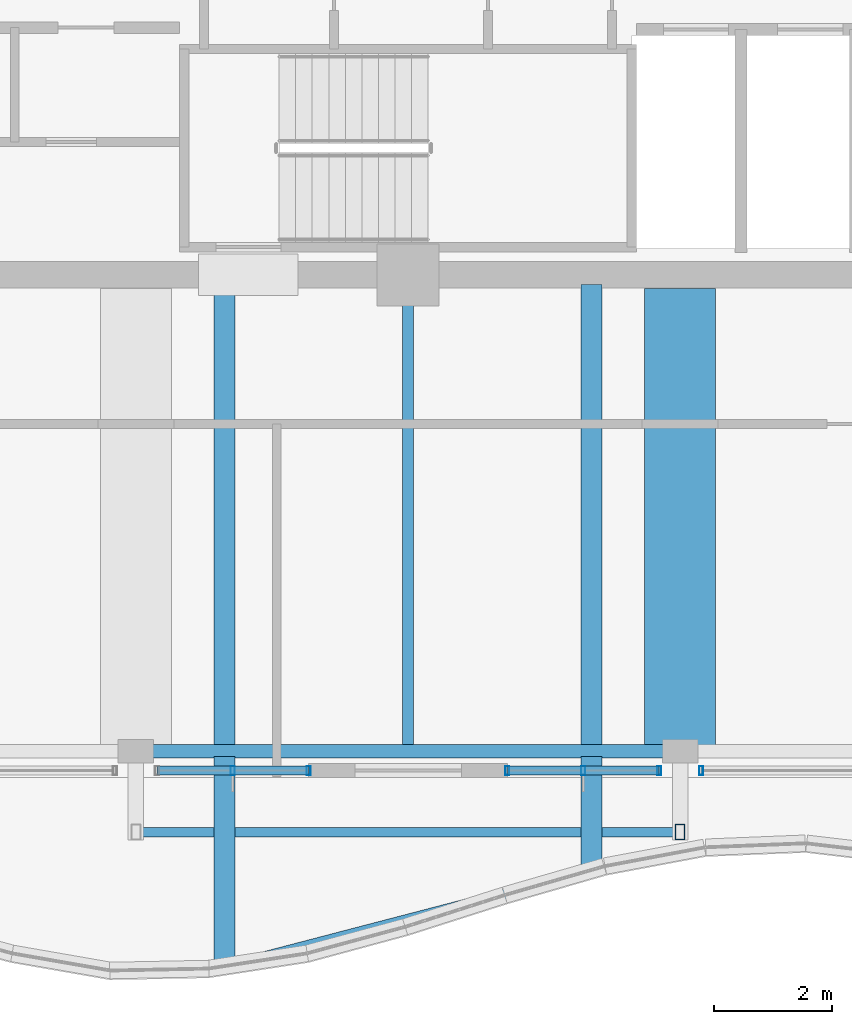
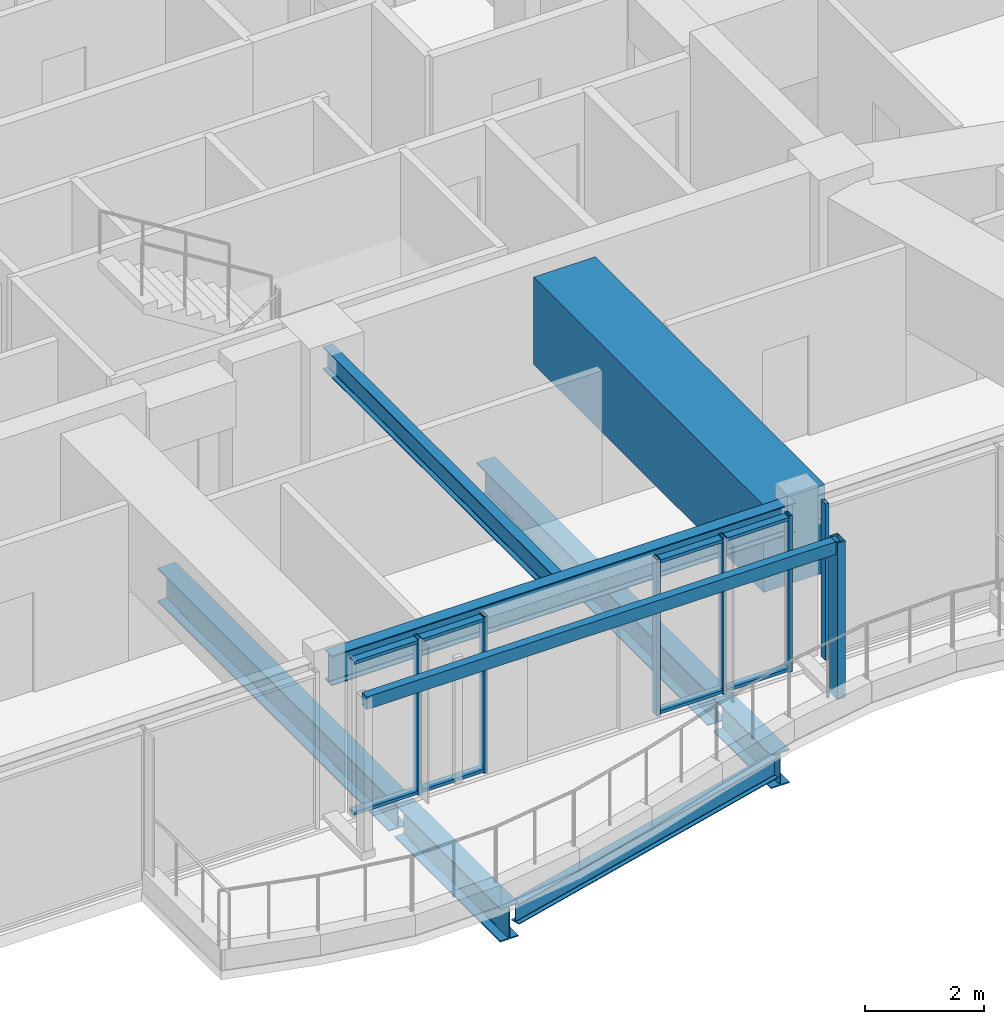
# One storey, part 5 of 30: 12 members, 8 beams, 3 elements without a shape of their own.
"""IFC4 building model written with IfcOpenShell, lengths in metres."""

from ifc_helpers import new_model, si_unit, direction, frame, origin, origin_2d, place, context, subcontext, project, spatial, rectangle, hollow_rectangle, i_section, extrude, material, material_profile, profile_set, type_object, element, aggregate, save


model = new_model("IFC4")

# Units and contexts
model_context = context("Model", 3, precision=1e-05, world=origin(), true_north=direction((0.0, 1.0)))
body_context = subcontext(model_context, "Body", "Model", "MODEL_VIEW")
ifc_project = project(units=[si_unit("LENGTHUNIT", "METRE"), si_unit("AREAUNIT", "SQUARE_METRE"), si_unit("VOLUMEUNIT", "CUBIC_METRE"), si_unit("PLANEANGLEUNIT", "RADIAN"), si_unit("MASSUNIT", "GRAM", prefix="KILO")], contexts=[model_context])

# Site, building, storey
site_placement = place(None, origin())
site = spatial("IfcSite", under=ifc_project, at=site_placement, CompositionType="ELEMENT")
building_placement = place(site_placement, origin())
building = spatial("IfcBuilding", under=site, at=building_placement, Name="Kolvaren Belvedere", CompositionType="ELEMENT")
storey_placement = place(building_placement, frame((0.0, 0.0, 254.89990234375)))
storey = spatial("IfcBuildingStorey", under=building, at=storey_placement, Name="L74", CompositionType="ELEMENT", Elevation=254.89990234375)

# Beams
ifc_material_1 = material(Name="Structural steel ASTM A992 Grade 50", Category="steel")
ifc_material_profile_1 = material_profile(ifc_material_1, i_section(OverallWidth=0.35498046875, OverallDepth=0.696044921875, WebThickness=0.015380859375, FlangeThickness=0.02490234375, FilletRadius=0.02197265625, at=origin_2d()), Name="W27X146")
ifc_profile_set_1 = profile_set([ifc_material_profile_1], Name="Structural steel ASTM A992 Grade 50")
beam_type_1 = type_object("IfcBeamType", Name="BM-CANT-BAL", PredefinedType="BEAM", material=ifc_profile_set_1)
beam_1_placement = place(storey_placement, frame((-3.10009765625, -18.044921875, -0.597900390625), z_axis=(0.0, -1.0, 0.0), x_axis=(1.0, 0.0, 0.0)))
element("IfcBeam", 1, at=beam_1_placement, inside=storey, type_object=beam_type_1, Name="L74 Planted Balcony Cantilever BAL-S-1", PredefinedType="BEAM", context=body_context, shape_type="SweptSolid", body=[
    extrude(i_section(OverallWidth=0.35498046875, OverallDepth=0.696044921875, WebThickness=0.015380859375, FlangeThickness=0.02490234375, FilletRadius=0.02197265625, at=origin_2d()), origin(), (0.0, 0.0, 1.0), 3.56103515625),
])
beam_2_placement = place(storey_placement, frame((3.10009765625, -18.044921875, -0.597900390625), z_axis=(0.0, -1.0, 0.0), x_axis=(1.0, 0.0, 0.0)))
element("IfcBeam", 2, at=beam_2_placement, inside=storey, type_object=beam_type_1, Name="L74 Planted Balcony Cantilever BAL-S-2", PredefinedType="BEAM", context=body_context, shape_type="SweptSolid", body=[
    extrude(i_section(OverallWidth=0.35498046875, OverallDepth=0.696044921875, WebThickness=0.015380859375, FlangeThickness=0.02490234375, FilletRadius=0.02197265625, at=origin_2d()), origin(), (0.0, 0.0, 1.0), 1.94189453125),
])
ifc_material_2 = material(Name="Structural steel ASTM A992 Grade 50", Category="steel")
ifc_material_profile_2 = material_profile(ifc_material_2, i_section(OverallWidth=0.180908203125, OverallDepth=0.4169921875, WebThickness=0.010986328125, FlangeThickness=0.018310546875, FilletRadius=0.013916015625, at=origin_2d()), Name="W16X57")
ifc_profile_set_2 = profile_set([ifc_material_profile_2], Name="Structural steel ASTM A992 Grade 50")
beam_type_2 = type_object("IfcBeamType", Name="BM-EDGE-W16X57", PredefinedType="BEAM", material=ifc_profile_set_2)
beam_3_placement = place(storey_placement, frame((-2.964599609375, -21.570556640625, -0.45849609375), z_axis=(0.9675537799, 0.25266515985, 0.0), x_axis=(-0.25266515985, 0.9675537799, 0.0)))
element("IfcBeam", 3, at=beam_3_placement, inside=storey, type_object=beam_type_2, Name="L74 Balcony Tip Header Beam BAL-S", PredefinedType="BEAM", context=body_context, shape_type="SweptSolid", body=[
    extrude(i_section(OverallWidth=0.180908203125, OverallDepth=0.4169921875, WebThickness=0.010986328125, FlangeThickness=0.018310546875, FilletRadius=0.013916015625, at=origin_2d()), origin(), (0.0, 0.0, 1.0), 6.1279296875),
])
ifc_material_3 = material(Name="Structural steel ASTM A992 Grade 50", Category="steel")
ifc_material_profile_3 = material_profile(ifc_material_3, i_section(OverallWidth=0.35498046875, OverallDepth=0.696044921875, WebThickness=0.015380859375, FlangeThickness=0.02490234375, FilletRadius=0.02197265625, at=origin_2d()), Name="W27X146")
ifc_profile_set_3 = profile_set([ifc_material_profile_3], Name="Structural steel ASTM A992 Grade 50")
beam_type_3 = type_object("IfcBeamType", Name="BM-GIRD-W27X146", PredefinedType="BEAM", material=ifc_profile_set_3)
for number, where, z_axis, x_axis, name in (
    (4, (-3.10009765625, -10.06494140625, -0.597900390625), (0.0, -1.0, 0.0), (1.0, 0.0, 0.0), "L74 Balcony Interior Back-Span Girder BAL-S-1"),
    (5, (3.10009765625, -10.06494140625, -0.597900390625), (0.0, -1.0, 0.0), (1.0, 0.0, 0.0), "L74 Balcony Interior Back-Span Girder BAL-S-2"),
):
    element("IfcBeam", number, at=place(storey_placement, frame(where, z_axis=z_axis, x_axis=x_axis)), inside=storey, type_object=beam_type_3, Name=name, PredefinedType="BEAM", context=body_context, shape_type="SweptSolid", body=[
        extrude(i_section(OverallWidth=0.35498046875, OverallDepth=0.696044921875, WebThickness=0.015380859375, FlangeThickness=0.02490234375, FilletRadius=0.02197265625, at=origin_2d()), origin(), (0.0, 0.0, 1.0), 7.7900390625),
    ])
ifc_material_4 = material(Name="Structural steel ASTM A992 Grade 50", Category="steel")
ifc_material_profile_4 = material_profile(ifc_material_4, i_section(OverallWidth=0.19091796875, OverallDepth=0.4599609375, WebThickness=0.010009765625, FlangeThickness=0.01611328125, FilletRadius=0.014892578125, at=origin_2d()), Name="W18X55")
ifc_profile_set_4 = profile_set([ifc_material_profile_4], Name="Structural steel ASTM A992 Grade 50")
beam_type_4 = type_object("IfcBeamType", Name="BM-JOIST-W18X55", PredefinedType="BEAM", material=ifc_profile_set_4)
beam_4_placement = place(storey_placement, frame((0.0, -10.125, 2.989990234375), z_axis=(0.0, -1.0, 0.0), x_axis=(1.0, 0.0, 0.0)))
element("IfcBeam", 6, at=beam_4_placement, inside=storey, type_object=beam_type_4, Name="L74 South Centre Floor Beam", PredefinedType="BEAM", context=body_context, shape_type="SweptSolid", body=[
    extrude(i_section(OverallWidth=0.19091796875, OverallDepth=0.4599609375, WebThickness=0.010009765625, FlangeThickness=0.01611328125, FilletRadius=0.014892578125, at=origin_2d()), origin(), (0.0, 0.0, 1.0), 7.71044921875),
])
ifc_material_5 = material(Name="Structural steel ASTM A992 Grade 50", Category="steel")
ifc_material_profile_5 = material_profile(ifc_material_5, i_section(OverallWidth=0.22900390625, OverallDepth=0.612060546875, WebThickness=0.011962890625, FlangeThickness=0.01953125, FilletRadius=0.01806640625, at=origin_2d()), Name="W24X84")
ifc_profile_set_5 = profile_set([ifc_material_profile_5], Name="Structural steel ASTM A992 Grade 50")
beam_type_5 = type_object("IfcBeamType", Name="BM-SPAN-W24X84", PredefinedType="SPANDREL", material=ifc_profile_set_5)
beam_5_placement = place(storey_placement, frame((-4.510009765625, -17.949951171875, 2.9140625), z_axis=(1.0, 0.0, 0.0), x_axis=(0.0, 1.0, 0.0)))
element("IfcBeam", 7, at=beam_5_placement, inside=storey, type_object=beam_type_5, Name="L74 Perimeter Spandrel S2-S3", PredefinedType="SPANDREL", context=body_context, shape_type="SweptSolid", body=[
    extrude(i_section(OverallWidth=0.22900390625, OverallDepth=0.612060546875, WebThickness=0.011962890625, FlangeThickness=0.01953125, FilletRadius=0.01806640625, at=origin_2d()), origin(), (0.0, 0.0, 1.0), 9.02001953125),
])
ifc_material_6 = material(Name="Concrete C50/60", Category="concrete")
ifc_material_profile_6 = material_profile(ifc_material_6, rectangle(XDim=1.199951171875, YDim=1.800048828125, at=origin_2d()), Name="RC 1200X1800")
ifc_profile_set_6 = profile_set([ifc_material_profile_6], Name="Concrete C50/60")
beam_type_6 = type_object("IfcBeamType", Name="BM-TG-1800", PredefinedType="BEAM", material=ifc_profile_set_6)
beam_6_placement = place(storey_placement, frame((4.60009765625, -10.125, 2.320068359375), z_axis=(0.0, -1.0, 0.0), x_axis=(1.0, 0.0, 0.0)))
element("IfcBeam", 8, at=beam_6_placement, inside=storey, type_object=beam_type_6, Name="L74 South Radial Girder P", PredefinedType="BEAM", context=body_context, shape_type="SweptSolid", body=[
    extrude(rectangle(XDim=1.199951171875, YDim=1.800048828125, at=origin_2d()), origin(), (0.0, 0.0, 1.0), 7.735107421875),
])

# Curtain wall, member
ifc_material_7 = material(Name="Anodised pale-metal aluminium AA 6063-T6", Category="aluminium")
curtain_wall_type = type_object("IfcCurtainWallType", Name="CW-Z5-HIGH", PredefinedType="NOTDEFINED", material=ifc_material_7)
curtain_wall_1_placement = place(storey_placement, origin())
curtain_wall_1 = element("IfcCurtainWall", 9, at=curtain_wall_1_placement, inside=storey, type_object=curtain_wall_type, Name="L74 Unitised Curtain Wall FCW-L74-S1-B1", PredefinedType="NOTDEFINED")
ifc_material_8 = material(Name="Anodised pale-metal aluminium AA 6063-T6", Category="aluminium")
ifc_material_profile_7 = material_profile(ifc_material_8, hollow_rectangle(XDim=0.070068359375, YDim=0.14990234375, WallThickness=0.004150390625, at=origin_2d()), Name="ALU-MUL-150X70")
ifc_profile_set_7 = profile_set([ifc_material_profile_7], Name="Anodised pale-metal aluminium AA 6063-T6")
member_type_1 = type_object("IfcMemberType", Name="CW-MUL-150", PredefinedType="MULLION", material=ifc_profile_set_7)
member_1_placement = place(storey_placement, frame((4.955078125, -18.280029296875, 0.0), z_axis=(0.0, 0.0, 1.0), x_axis=(1.0, 0.0, 0.0)))
member_1 = element("IfcMember", 10, at=member_1_placement, type_object=member_type_1, Name="FCW-L74-S1-B1 Unitised Mullion 3", PredefinedType="MULLION", context=body_context, shape_type="SweptSolid", body=[
    extrude(hollow_rectangle(XDim=0.070068359375, YDim=0.14990234375, WallThickness=0.004150390625, at=origin_2d()), origin(), (0.0, 0.0, 1.0), 3.22021484375),
])
aggregate(curtain_wall_1, [member_1])

# Curtain wall, members
curtain_wall_2_placement = place(storey_placement, origin())
curtain_wall_2 = element("IfcCurtainWall", 11, at=curtain_wall_2_placement, inside=storey, type_object=curtain_wall_type, Name="L74 Unitised Curtain Wall FCW-L74-S1-B2", PredefinedType="NOTDEFINED")
member_2_placement = place(storey_placement, frame((4.2451171875, -18.280029296875, 0.0), z_axis=(0.0, 0.0, 1.0), x_axis=(1.0, 0.0, 0.0)))
member_2 = element("IfcMember", 12, at=member_2_placement, type_object=member_type_1, Name="FCW-L74-S1-B2 Unitised Mullion 1", PredefinedType="MULLION", context=body_context, shape_type="SweptSolid", body=[
    extrude(hollow_rectangle(XDim=0.070068359375, YDim=0.14990234375, WallThickness=0.004150390625, at=origin_2d()), origin(), (0.0, 0.0, 1.0), 3.22021484375),
])
member_3_placement = place(storey_placement, frame((2.96240234375, -18.280029296875, 0.0), z_axis=(0.0, 0.0, 1.0), x_axis=(1.0, 0.0, 0.0)))
member_3 = element("IfcMember", 13, at=member_3_placement, type_object=member_type_1, Name="FCW-L74-S1-B2 Unitised Mullion 2", PredefinedType="MULLION", context=body_context, shape_type="SweptSolid", body=[
    extrude(hollow_rectangle(XDim=0.070068359375, YDim=0.14990234375, WallThickness=0.004150390625, at=origin_2d()), origin(), (0.0, 0.0, 1.0), 3.22021484375),
])
member_4_placement = place(storey_placement, frame((1.679931640625, -18.280029296875, 0.0), z_axis=(0.0, 0.0, 1.0), x_axis=(1.0, 0.0, 0.0)))
member_4 = element("IfcMember", 14, at=member_4_placement, type_object=member_type_1, Name="FCW-L74-S1-B2 Unitised Mullion 3", PredefinedType="MULLION", context=body_context, shape_type="SweptSolid", body=[
    extrude(hollow_rectangle(XDim=0.070068359375, YDim=0.14990234375, WallThickness=0.004150390625, at=origin_2d()), origin(), (0.0, 0.0, 1.0), 3.22021484375),
])

curtain_wall_3_placement = place(storey_placement, origin())
curtain_wall_3 = element("IfcCurtainWall", 15, at=curtain_wall_3_placement, inside=storey, type_object=curtain_wall_type, Name="L74 Unitised Curtain Wall FCW-L74-S2-B1", PredefinedType="NOTDEFINED")
member_5_placement = place(storey_placement, frame((-1.679931640625, -18.280029296875, 0.0), z_axis=(0.0, 0.0, 1.0), x_axis=(1.0, 0.0, 0.0)))
member_5 = element("IfcMember", 16, at=member_5_placement, type_object=member_type_1, Name="FCW-L74-S2-B1 Unitised Mullion 1", PredefinedType="MULLION", context=body_context, shape_type="SweptSolid", body=[
    extrude(hollow_rectangle(XDim=0.070068359375, YDim=0.14990234375, WallThickness=0.004150390625, at=origin_2d()), origin(), (0.0, 0.0, 1.0), 3.22021484375),
])
member_6_placement = place(storey_placement, frame((-2.96240234375, -18.280029296875, 0.0), z_axis=(0.0, 0.0, 1.0), x_axis=(1.0, 0.0, 0.0)))
member_6 = element("IfcMember", 17, at=member_6_placement, type_object=member_type_1, Name="FCW-L74-S2-B1 Unitised Mullion 2", PredefinedType="MULLION", context=body_context, shape_type="SweptSolid", body=[
    extrude(hollow_rectangle(XDim=0.070068359375, YDim=0.14990234375, WallThickness=0.004150390625, at=origin_2d()), origin(), (0.0, 0.0, 1.0), 3.22021484375),
])

# Member
ifc_material_9 = material(Name="Anodised pale-metal aluminium AA 6063-T6", Category="aluminium")
ifc_material_profile_8 = material_profile(ifc_material_9, hollow_rectangle(XDim=0.06494140625, YDim=0.14990234375, WallThickness=0.00390625, at=origin_2d()), Name="ALU-TRN-150X65")
ifc_profile_set_8 = profile_set([ifc_material_profile_8], Name="Anodised pale-metal aluminium AA 6063-T6")
member_type_2 = type_object("IfcMemberType", Name="CW-TRN-150", PredefinedType="USERDEFINED", material=ifc_profile_set_8)
member_7_placement = place(storey_placement, frame((4.2451171875, -18.280029296875, 0.06005859375), z_axis=(-1.0, 0.0, 0.0), x_axis=(0.0, 0.0, 1.0)))
member_7 = element("IfcMember", 18, at=member_7_placement, type_object=member_type_2, Name="FCW-L74-S1-B2 Sill Transom", ObjectType="TRANSOM", PredefinedType="USERDEFINED", context=body_context, shape_type="SweptSolid", body=[
    extrude(hollow_rectangle(XDim=0.06494140625, YDim=0.14990234375, WallThickness=0.00390625, at=origin_2d()), origin(), (0.0, 0.0, 1.0), 2.565185546875),
])

member_8_placement = place(storey_placement, frame((4.2451171875, -18.280029296875, 3.16015625), z_axis=(-1.0, 0.0, 0.0), x_axis=(0.0, 0.0, 1.0)))
member_8 = element("IfcMember", 19, at=member_8_placement, type_object=member_type_2, Name="FCW-L74-S1-B2 Head Transom", ObjectType="TRANSOM", PredefinedType="USERDEFINED", context=body_context, shape_type="SweptSolid", body=[
    extrude(hollow_rectangle(XDim=0.06494140625, YDim=0.14990234375, WallThickness=0.00390625, at=origin_2d()), origin(), (0.0, 0.0, 1.0), 2.565185546875),
])

aggregate(curtain_wall_2, [member_2, member_3, member_4, member_7, member_8])

member_9_placement = place(storey_placement, frame((-1.679931640625, -18.280029296875, 0.06005859375), z_axis=(-1.0, 0.0, 0.0), x_axis=(0.0, 0.0, 1.0)))
member_9 = element("IfcMember", 20, at=member_9_placement, type_object=member_type_2, Name="FCW-L74-S2-B1 Sill Transom", ObjectType="TRANSOM", PredefinedType="USERDEFINED", context=body_context, shape_type="SweptSolid", body=[
    extrude(hollow_rectangle(XDim=0.06494140625, YDim=0.14990234375, WallThickness=0.00390625, at=origin_2d()), origin(), (0.0, 0.0, 1.0), 2.565185546875),
])

member_10_placement = place(storey_placement, frame((-1.679931640625, -18.280029296875, 3.16015625), z_axis=(-1.0, 0.0, 0.0), x_axis=(0.0, 0.0, 1.0)))
member_10 = element("IfcMember", 21, at=member_10_placement, type_object=member_type_2, Name="FCW-L74-S2-B1 Head Transom", ObjectType="TRANSOM", PredefinedType="USERDEFINED", context=body_context, shape_type="SweptSolid", body=[
    extrude(hollow_rectangle(XDim=0.06494140625, YDim=0.14990234375, WallThickness=0.00390625, at=origin_2d()), origin(), (0.0, 0.0, 1.0), 2.565185546875),
])

aggregate(curtain_wall_3, [member_5, member_6, member_9, member_10])

# Members
ifc_material_10 = material(Name="Anodised pale-metal aluminium AA 6063-T6", Category="aluminium")
ifc_material_profile_9 = material_profile(ifc_material_10, hollow_rectangle(XDim=0.159912109375, YDim=0.260009765625, WallThickness=0.006591796875, at=origin_2d()), Name="ALU-PF-260X160")
ifc_profile_set_9 = profile_set([ifc_material_profile_9], Name="Anodised pale-metal aluminium AA 6063-T6")
member_type_3 = type_object("IfcMemberType", Name="PF-FRAME-260", PredefinedType="USERDEFINED", material=ifc_profile_set_9)
member_11_placement = place(storey_placement, frame((4.60009765625, -19.320068359375, 0.0), z_axis=(0.0, 0.0, 1.0), x_axis=(1.0, 0.0, 0.0)))
element("IfcMember", 22, at=member_11_placement, inside=storey, type_object=member_type_3, Name="L74 Outboard Picture-Frame Vertical S1", ObjectType="PICTURE FRAME FIN", PredefinedType="USERDEFINED", context=body_context, shape_type="SweptSolid", body=[
    extrude(hollow_rectangle(XDim=0.159912109375, YDim=0.260009765625, WallThickness=0.006591796875, at=origin_2d()), origin(), (0.0, 0.0, 1.0), 3.22021484375),
])
member_12_placement = place(storey_placement, frame((4.60009765625, -19.320068359375, 3.090087890625), z_axis=(-1.0, 0.0, 0.0), x_axis=(0.0, -1.0, 0.0)))
element("IfcMember", 23, at=member_12_placement, inside=storey, type_object=member_type_3, Name="L74 Outboard Picture-Frame Head S", ObjectType="PICTURE FRAME FIN", PredefinedType="USERDEFINED", context=body_context, shape_type="SweptSolid", body=[
    extrude(hollow_rectangle(XDim=0.159912109375, YDim=0.260009765625, WallThickness=0.006591796875, at=origin_2d()), origin(), (0.0, 0.0, 1.0), 9.2001953125),
])

save(model, "model.ifc")
